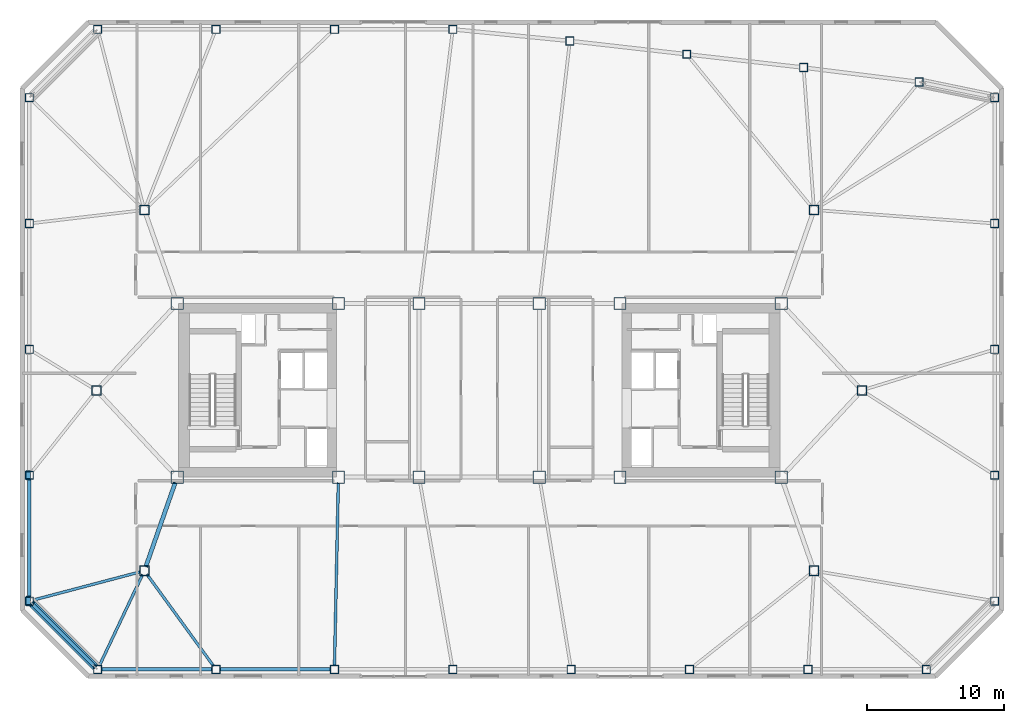
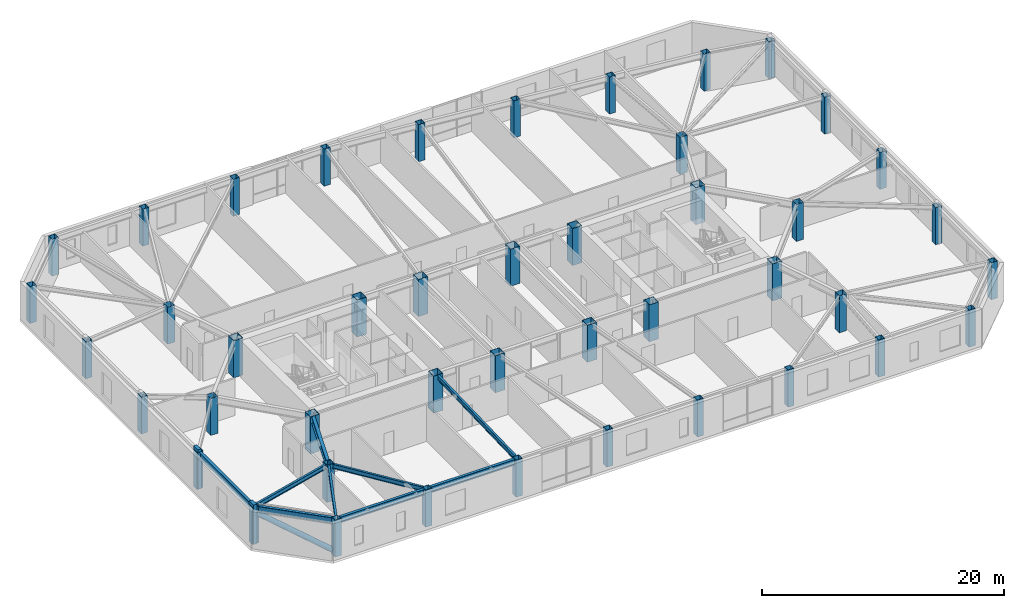
# One storey, part 1 of 18: 44 columns, 9 beams, 3 members.
"""IFC4 building model written with IfcOpenShell, lengths in metres."""

import ifcopenshell
import ifcopenshell.guid

model = None  # the IFC model being written
_history = None  # IfcOwnerHistory: only IFC2X3 demands one
_inside = {}  # id of a spatial element -> (the spatial element, [elements in it])
_under = {}  # id of a project, library or spatial element -> (it, [spatial elements below it])
_declared = {}  # id of a project -> (the project, [libraries it declares])
_typed = {}  # id of a type object -> (the type object, [elements of that type])
_made_of = {}  # id of a material, layer set ... -> (it, [elements and type objects made of it])


def new_model(schema):
    """Start an empty IFC model of exactly this schema.

    Asked for "IFC4X3", IfcOpenShell would pick the latest addendum, in which some entities
    have other attributes; the version numbers below select the first issue.
    IFC2X3 requires an IfcOwnerHistory on every rooted entity: one is made here for all.
    """
    global model, _history
    if schema == "IFC4X3":
        model = ifcopenshell.file(schema_version=(4, 3, 0, 0))
    else:
        model = ifcopenshell.file(schema=schema)
    _inside.clear()
    _under.clear()
    _declared.clear()
    _typed.clear()
    _made_of.clear()
    _history = None
    if model.schema == "IFC2X3":
        org = make("IfcOrganization", Name="unknown")
        user = make(
            "IfcPersonAndOrganization",
            ThePerson=make("IfcPerson", FamilyName="unknown"),
            TheOrganization=org,
        )
        app = make(
            "IfcApplication",
            ApplicationDeveloper=org,
            Version="unknown",
            ApplicationFullName="unknown",
            ApplicationIdentifier="unknown",
        )
        _history = make(
            "IfcOwnerHistory",
            OwningUser=user,
            OwningApplication=app,
            ChangeAction="ADDED",
            CreationDate=0,
        )
    return model


def make(cls, **values):
    """One entity of the class cls with the attributes given. An attribute that is None is left unset."""
    return model.create_entity(
        cls, **{name: value for name, value in values.items() if value is not None}
    )


def rooted(cls, **values):
    """An entity with a GlobalId (a new one), such as an element, a storey or a relation."""
    return make(cls, GlobalId=ifcopenshell.guid.new(), OwnerHistory=_history, **values)


def si_unit(unit_type, name, prefix=None):
    """IfcSIUnit, for example si_unit("LENGTHUNIT", "METRE", prefix="MILLI")."""
    return make("IfcSIUnit", UnitType=unit_type, Prefix=prefix, Name=name)


def assignment(units):
    """IfcUnitAssignment: the units of a project."""
    return None if units is None else make("IfcUnitAssignment", Units=units)


def point(xyz):
    """IfcCartesianPoint."""
    return None if xyz is None else make("IfcCartesianPoint", Coordinates=xyz)


def direction(xyz):
    """IfcDirection."""
    return None if xyz is None else make("IfcDirection", DirectionRatios=xyz)


def frame(location, z_axis=None, x_axis=None):
    """IfcAxis2Placement3D, a coordinate frame: its origin and axes. An axis left out is left unset."""
    return make(
        "IfcAxis2Placement3D",
        Location=point(location),
        Axis=direction(z_axis),
        RefDirection=direction(x_axis),
    )


def frame_2d(location, x_axis=None):
    """IfcAxis2Placement2D, a coordinate frame in the plane: its origin and x axis."""
    return make(
        "IfcAxis2Placement2D", Location=point(location), RefDirection=direction(x_axis)
    )


def origin():
    """The frame at (0, 0, 0) with its axes left unset."""
    return frame((0.0, 0.0, 0.0))


def origin_2d():
    """The frame at (0, 0) in the plane with its x axis left unset."""
    return frame_2d((0.0, 0.0))


def place(relative_to, where):
    """IfcLocalPlacement: puts the frame where relative to a parent placement (None: the world)."""
    return make(
        "IfcLocalPlacement", PlacementRelTo=relative_to, RelativePlacement=where
    )


def context(
    kind, dimensions, precision=None, world=None, true_north=None, identifier=None
):
    """IfcGeometricRepresentationContext, for example the 3D "Model" context."""
    return make(
        "IfcGeometricRepresentationContext",
        ContextIdentifier=identifier,
        ContextType=kind,
        CoordinateSpaceDimension=dimensions,
        Precision=precision,
        WorldCoordinateSystem=world,
        TrueNorth=true_north,
    )


def subcontext(parent, identifier, kind, view, scale=None):
    """IfcGeometricRepresentationSubContext, for example "Body" below "Model"."""
    return make(
        "IfcGeometricRepresentationSubContext",
        ContextIdentifier=identifier,
        ContextType=kind,
        ParentContext=parent,
        TargetScale=scale,
        TargetView=view,
    )


def project(units=None, contexts=None):
    """IfcProject with its units and contexts."""
    return rooted(
        "IfcProject",
        Name="project",
        RepresentationContexts=contexts,
        UnitsInContext=assignment(units),
    )


def spatial(cls, under=None, at=None, **own):
    """A site, building, storey or space (cls), placed at a placement, below another one or the project."""
    s = rooted(cls, ObjectPlacement=at, **own)
    if under is not None:
        _under.setdefault(under.id(), (under, []))[1].append(s)
    return s


def profile(cls, at=None, kind="AREA", **sizes):
    """A parametric profile (cls). Its sizes go by their IFC names, for example OverallWidth=200.0."""
    return make(cls, ProfileType=kind, Position=at, **sizes)


def rectangle(**sizes):
    """IfcRectangleProfileDef."""
    return profile("IfcRectangleProfileDef", **sizes)


def hollow_rectangle(**sizes):
    """IfcRectangleHollowProfileDef."""
    return profile("IfcRectangleHollowProfileDef", **sizes)


def hollow_circle(**sizes):
    """IfcCircleHollowProfileDef."""
    return profile("IfcCircleHollowProfileDef", **sizes)


def i_section(**sizes):
    """IfcIShapeProfileDef."""
    return profile("IfcIShapeProfileDef", **sizes)


def extrude(swept, where, along, depth):
    """IfcExtrudedAreaSolid: the profile swept, set in the frame where, extruded along a direction by depth."""
    return make(
        "IfcExtrudedAreaSolid",
        SweptArea=swept,
        Position=where,
        ExtrudedDirection=direction(along),
        Depth=depth,
    )


def shape(context_of_items, identifier, shape_type, items):
    """IfcShapeRepresentation: the items that make up one representation, for example the "Body"."""
    return make(
        "IfcShapeRepresentation",
        ContextOfItems=context_of_items,
        RepresentationIdentifier=identifier,
        RepresentationType=shape_type,
        Items=items,
    )


def material(Name=None, Category=None):
    """IfcMaterial."""
    return make("IfcMaterial", Name=Name, Category=Category)


def material_profile(
    of_material, cross_section, Name=None, Category=None, Priority=None
):
    """IfcMaterialProfile: a cross section and its material."""
    return make(
        "IfcMaterialProfile",
        Name=Name,
        Material=of_material,
        Profile=cross_section,
        Priority=Priority,
        Category=Category,
    )


def profile_set(profiles, Name=None, composite=None):
    """IfcMaterialProfileSet."""
    return make(
        "IfcMaterialProfileSet",
        Name=Name,
        MaterialProfiles=profiles,
        CompositeProfile=composite,
    )


def made_of(thing, what):
    """Note that an element or type object is made of a material, layer set ...; save() writes the relation."""
    if what is not None:
        _made_of.setdefault(what.id(), (what, []))[1].append(thing)
    return thing


def type_object(cls, material=None, **own):
    """A type object (cls), such as IfcWallType, which elements share."""
    return made_of(rooted(cls, **own), material)


def element(
    cls,
    number,
    at=None,
    inside=None,
    cuts=None,
    type_object=None,
    material=None,
    context=None,
    identifier="Body",
    shape_type=None,
    held_by="IfcProductDefinitionShape",
    body=None,
    shapes=None,
    **own,
):
    """One element of the class cls, such as IfcWall. Its Tag is "e" and its number.

    at: its placement. inside: the storey or other place that contains it. cuts: it is an
    opening in that element (IfcRelVoidsElement). A single representation is given by context,
    identifier, shape_type and body (its items); several are given by shapes. held_by: the class
    of the entity that holds the representations. save() writes the other relations.
    """
    e = rooted(cls, Tag="e%d" % number, ObjectPlacement=at, **own)
    if body is not None:
        shapes = [shape(context, identifier, shape_type, body)]
    if shapes is not None:
        e.Representation = make(held_by, Representations=shapes)
    if inside is not None:
        _inside.setdefault(inside.id(), (inside, []))[1].append(e)
    if cuts is not None:
        rooted(
            "IfcRelVoidsElement", RelatingBuildingElement=cuts, RelatedOpeningElement=e
        )
    if type_object is not None:
        _typed.setdefault(type_object.id(), (type_object, []))[1].append(e)
    return made_of(e, material)


def aggregate(whole, parts):
    """IfcRelAggregates: a whole, such as a stair, and the parts it consists of."""
    return rooted("IfcRelAggregates", RelatingObject=whole, RelatedObjects=parts)


def save(model, path):
    """Write the relations noted so far, then the file.

    IfcRelAggregates (storeys below a building ...), IfcRelContainedInSpatialStructure (elements
    in a storey), IfcRelDefinesByType, IfcRelAssociatesMaterial and IfcRelDeclares: one each for
    every whole, place, type object, material and project.
    """
    for whole, parts in _under.values():
        aggregate(whole, parts)
    for where, things in _inside.values():
        rooted(
            "IfcRelContainedInSpatialStructure",
            RelatedElements=things,
            RelatingStructure=where,
        )
    for kind, things in _typed.values():
        rooted("IfcRelDefinesByType", RelatedObjects=things, RelatingType=kind)
    for what, things in _made_of.values():
        rooted("IfcRelAssociatesMaterial", RelatedObjects=things, RelatingMaterial=what)
    for by, libraries in _declared.values():
        rooted("IfcRelDeclares", RelatingContext=by, RelatedDefinitions=libraries)
    model.write(path)


model = new_model("IFC4")

# Units and contexts
model_context = context("Model", 3, precision=1e-05, world=origin(), true_north=direction((0.0, 1.0)))
body_context = subcontext(model_context, "Body", "Model", "MODEL_VIEW")
ifc_project = project(units=[si_unit("LENGTHUNIT", "METRE"), si_unit("AREAUNIT", "SQUARE_METRE"), si_unit("VOLUMEUNIT", "CUBIC_METRE"), si_unit("PLANEANGLEUNIT", "RADIAN"), si_unit("MASSUNIT", "GRAM", prefix="KILO")], contexts=[model_context])

# Site, building, storey
site_placement = place(None, origin())
site = spatial("IfcSite", under=ifc_project, at=site_placement, CompositionType="ELEMENT")
building_placement = place(site_placement, origin())
building = spatial("IfcBuilding", under=site, at=building_placement, Name="Tavrogorsk Clinical Tower", CompositionType="ELEMENT")
storey_placement = place(building_placement, frame((0.0, 0.0, 196.199951171875)))
storey = spatial("IfcBuildingStorey", under=building, at=storey_placement, Name="L45", CompositionType="ELEMENT", Elevation=196.199951171875)

# Columns
ifc_material_1 = material(Name="Structural steel S440", Category="steel")
ifc_material_profile_1 = material_profile(ifc_material_1, hollow_rectangle(XDim=0.699951171875, YDim=0.699951171875, WallThickness=0.031982421875, at=origin_2d()), Name="BOX-700x700x32")
ifc_profile_set_1 = profile_set([ifc_material_profile_1], Name="Structural steel S440")
column_type_1 = type_object("IfcColumnType", Name="MegaCol_BOX700", PredefinedType="COLUMN", material=ifc_profile_set_1)
for number, where, z_axis, x_axis, name in (
    (1, (-24.5, -13.199951171875, 0.0), (0.0, 0.0, 1.0), (1.0, 0.0, 0.0), "L45 Spine Pilotis Column MC-P1"),
    (2, (24.5, -13.199951171875, 0.0), (0.0, 0.0, 1.0), (1.0, 0.0, 0.0), "L45 Spine Pilotis Column MC-P2"),
    (3, (-24.5, 13.199951171875, 0.0), (0.0, 0.0, 1.0), (1.0, 0.0, 0.0), "L45 Spine Pilotis Column MC-P3"),
    (4, (24.5, 13.199951171875, 0.0), (0.0, 0.0, 1.0), (1.0, 0.0, 0.0), "L45 Spine Pilotis Column MC-P4"),
    (5, (-28.0, 0.0, 0.0), (0.0, 0.0, 1.0), (1.0, 0.0, 0.0), "L45 Spine Pilotis Column MC-P5"),
    (6, (28.0, 0.0, 0.0), (0.0, 0.0, 1.0), (1.0, 0.0, 0.0), "L45 Spine Pilotis Column MC-P6"),
):
    element("IfcColumn", number, at=place(storey_placement, frame(where, z_axis=z_axis, x_axis=x_axis)), inside=storey, type_object=column_type_1, Name=name, PredefinedType="COLUMN", context=body_context, shape_type="SweptSolid", body=[
        extrude(hollow_rectangle(XDim=0.699951171875, YDim=0.699951171875, WallThickness=0.031982421875, at=origin_2d()), origin(), (0.0, 0.0, 1.0), 3.739990234375),
    ])
ifc_material_2 = material(Name="Structural steel S440", Category="steel")
ifc_material_profile_2 = material_profile(ifc_material_2, hollow_rectangle(XDim=0.89990234375, YDim=0.89990234375, WallThickness=0.0400390625, at=origin_2d()), Name="BOX-900x900x40")
ifc_profile_set_2 = profile_set([ifc_material_profile_2], Name="Structural steel S440")
column_type_2 = type_object("IfcColumnType", Name="MegaCol_BOX900", PredefinedType="COLUMN", material=ifc_profile_set_2)
for number, where, z_axis, x_axis, name in (
    (7, (-22.10009765625, -6.35009765625, 0.0), (0.0, 0.0, 1.0), (1.0, 0.0, 0.0), "L45 Mega Column MC-W1"),
    (8, (-22.10009765625, 6.35009765625, 0.0), (0.0, 0.0, 1.0), (1.0, 0.0, 0.0), "L45 Mega Column MC-W2"),
    (9, (-10.300048828125, -6.35009765625, 0.0), (0.0, 0.0, 1.0), (1.0, 0.0, 0.0), "L45 Mega Column MC-W3"),
    (10, (-10.300048828125, 6.35009765625, 0.0), (0.0, 0.0, 1.0), (1.0, 0.0, 0.0), "L45 Mega Column MC-W4"),
    (11, (10.300048828125, -6.35009765625, 0.0), (0.0, 0.0, 1.0), (1.0, 0.0, 0.0), "L45 Mega Column MC-E1"),
    (12, (10.300048828125, 6.35009765625, 0.0), (0.0, 0.0, 1.0), (1.0, 0.0, 0.0), "L45 Mega Column MC-E2"),
    (13, (22.10009765625, -6.35009765625, 0.0), (0.0, 0.0, 1.0), (1.0, 0.0, 0.0), "L45 Mega Column MC-E3"),
    (14, (22.10009765625, 6.35009765625, 0.0), (0.0, 0.0, 1.0), (1.0, 0.0, 0.0), "L45 Mega Column MC-E4"),
    (15, (-4.39990234375, -6.35009765625, 0.0), (0.0, 0.0, 1.0), (1.0, 0.0, 0.0), "L45 Mega Column MC-C1"),
    (16, (4.39990234375, -6.35009765625, 0.0), (0.0, 0.0, 1.0), (1.0, 0.0, 0.0), "L45 Mega Column MC-C2"),
    (17, (-4.39990234375, 6.35009765625, 0.0), (0.0, 0.0, 1.0), (1.0, 0.0, 0.0), "L45 Mega Column MC-C3"),
    (18, (4.39990234375, 6.35009765625, 0.0), (0.0, 0.0, 1.0), (1.0, 0.0, 0.0), "L45 Mega Column MC-C4"),
):
    element("IfcColumn", number, at=place(storey_placement, frame(where, z_axis=z_axis, x_axis=x_axis)), inside=storey, type_object=column_type_2, Name=name, PredefinedType="COLUMN", context=body_context, shape_type="SweptSolid", body=[
        extrude(hollow_rectangle(XDim=0.89990234375, YDim=0.89990234375, WallThickness=0.0400390625, at=origin_2d()), origin(), (0.0, 0.0, 1.0), 3.739990234375),
    ])
ifc_material_3 = material(Name="Structural steel S440", Category="steel")
ifc_material_profile_3 = material_profile(ifc_material_3, hollow_rectangle(XDim=0.60009765625, YDim=0.60009765625, WallThickness=0.028076171875, at=origin_2d()), Name="BOX-600x600x28")
ifc_profile_set_3 = profile_set([ifc_material_profile_3], Name="Structural steel S440")
column_type_3 = type_object("IfcColumnType", Name="PerimCol_B3_BOX600", PredefinedType="COLUMN", material=ifc_profile_set_3)
for number, where, z_axis, x_axis, name in (
    (19, (-27.919921875, -20.419921875, 0.0), (0.0, 0.0, 1.0), (1.0, 0.0, 0.0), "L45 Perimeter Column S1"),
    (20, (-19.257080078125, -20.419921875, 0.0), (0.0, 0.0, 1.0), (1.0, 0.0, 0.0), "L45 Perimeter Column S2"),
    (21, (-10.59423828125, -20.419921875, 0.0), (0.0, 0.0, 1.0), (1.0, 0.0, 0.0), "L45 Perimeter Column S3"),
    (22, (-1.931396484375, -20.419921875, 0.0), (0.0, 0.0, 1.0), (1.0, 0.0, 0.0), "L45 Perimeter Column S4"),
    (23, (6.7314453125, -20.419921875, 0.0), (0.0, 0.0, 1.0), (1.0, 0.0, 0.0), "L45 Perimeter Column S5"),
    (24, (15.394287109375, -20.419921875, 0.0), (0.0, 0.0, 1.0), (1.0, 0.0, 0.0), "L45 Perimeter Column S6"),
    (25, (24.05712890625, -20.419921875, 0.0), (0.0, 0.0, 1.0), (1.0, 0.0, 0.0), "L45 Perimeter Column S7"),
    (26, (32.719970703125, -20.419921875, 0.0), (0.0, 0.0, 1.0), (1.0, 0.0, 0.0), "L45 Perimeter Column S8"),
    (27, (32.19140625, 22.56591796875, 0.0), (0.0, 0.0, 1.0), (1.0, 0.0, 0.0), "L45 Perimeter Column N1"),
    (28, (23.73779296875, 23.617919921875, 0.0), (0.0, 0.0, 1.0), (1.0, 0.0, 0.0), "L45 Perimeter Column N2"),
    (29, (15.18603515625, 24.59228515625, 0.0), (0.0, 0.0, 1.0), (1.0, 0.0, 0.0), "L45 Perimeter Column N3"),
    (30, (6.63427734375, 25.566650390625, 0.0), (0.0, 0.0, 1.0), (1.0, 0.0, 0.0), "L45 Perimeter Column N4"),
    (31, (-1.931396484375, 26.419921875, 0.0), (0.0, 0.0, 1.0), (1.0, 0.0, 0.0), "L45 Perimeter Column N5"),
    (32, (-10.59423828125, 26.419921875, 0.0), (0.0, 0.0, 1.0), (1.0, 0.0, 0.0), "L45 Perimeter Column N6"),
    (33, (-19.257080078125, 26.419921875, 0.0), (0.0, 0.0, 1.0), (1.0, 0.0, 0.0), "L45 Perimeter Column N7"),
    (34, (-27.919921875, 26.419921875, 0.0), (0.0, 0.0, 1.0), (1.0, 0.0, 0.0), "L45 Perimeter Column N8"),
    (35, (37.719970703125, -15.419921875, 0.0), (0.0, 0.0, 1.0), (1.0, 0.0, 0.0), "L45 Perimeter Column E1"),
    (36, (37.719970703125, -6.2099609375, 0.0), (0.0, 0.0, 1.0), (1.0, 0.0, 0.0), "L45 Perimeter Column E2"),
    (37, (37.719970703125, 3.0, 0.0), (0.0, 0.0, 1.0), (1.0, 0.0, 0.0), "L45 Perimeter Column E3"),
    (38, (37.719970703125, 12.2099609375, 0.0), (0.0, 0.0, 1.0), (1.0, 0.0, 0.0), "L45 Perimeter Column E4"),
    (39, (37.719970703125, 21.419921875, 0.0), (0.0, 0.0, 1.0), (1.0, 0.0, 0.0), "L45 Perimeter Column E5"),
    (40, (-32.919921875, 21.419921875, 0.0), (0.0, 0.0, 1.0), (1.0, 0.0, 0.0), "L45 Perimeter Column W1"),
    (41, (-32.919921875, 12.2099609375, 0.0), (0.0, 0.0, 1.0), (1.0, 0.0, 0.0), "L45 Perimeter Column W2"),
    (42, (-32.919921875, 3.0, 0.0), (0.0, 0.0, 1.0), (1.0, 0.0, 0.0), "L45 Perimeter Column W3"),
    (43, (-32.919921875, -6.2099609375, 0.0), (0.0, 0.0, 1.0), (1.0, 0.0, 0.0), "L45 Perimeter Column W4"),
    (44, (-32.919921875, -15.419921875, 0.0), (0.0, 0.0, 1.0), (1.0, 0.0, 0.0), "L45 Perimeter Column W5"),
):
    element("IfcColumn", number, at=place(storey_placement, frame(where, z_axis=z_axis, x_axis=x_axis)), inside=storey, type_object=column_type_3, Name=name, PredefinedType="COLUMN", context=body_context, shape_type="SweptSolid", body=[
        extrude(hollow_rectangle(XDim=0.60009765625, YDim=0.60009765625, WallThickness=0.028076171875, at=origin_2d()), origin(), (0.0, 0.0, 1.0), 3.739990234375),
    ])

# Member
ifc_material_4 = material(Name="Structural steel S440", Category="steel")
ifc_material_profile_4 = material_profile(ifc_material_4, hollow_circle(Radius=0.25390625, WallThickness=0.02001953125, at=origin_2d()), Name="CHS-508x20")
ifc_profile_set_4 = profile_set([ifc_material_profile_4], Name="Structural steel S440")
member_type_1 = type_object("IfcMemberType", Name="ExoBrace_CHS508", PredefinedType="BRACE", material=ifc_profile_set_4)
member_placement = place(storey_placement, frame((-28.12255859375, -20.217529296875, 0.4130859375), z_axis=(-0.657758524103, 0.657758524103, 0.367025132572), x_axis=(-0.707106781187, -0.707106781187, 0.0)))
element("IfcMember", 45, at=member_placement, inside=storey, type_object=member_type_1, Name="L45 Corner Exoskeleton Brace W5-S1", PredefinedType="BRACE", context=body_context, shape_type="SweptSolid", body=[
    extrude(hollow_circle(Radius=0.25390625, WallThickness=0.02001953125, at=origin_2d()), origin(), (0.0, 0.0, 1.0), 6.98583984375),
])

# Beams
ifc_material_5 = material(Name="Structural steel S355", Category="steel")
ifc_material_profile_5 = material_profile(ifc_material_5, i_section(OverallWidth=0.199951171875, OverallDepth=0.449951171875, WebThickness=0.011474609375, FlangeThickness=0.01806640625, at=origin_2d()), Name="B-450x200x11.5x18")
ifc_profile_set_5 = profile_set([ifc_material_profile_5], Name="Structural steel S355")
beam_type_1 = type_object("IfcBeamType", Name="FloorBeam_B450", PredefinedType="BEAM", material=ifc_profile_set_5)
beam_1_placement = place(storey_placement, frame((-24.6328125, -13.480224609375, 3.51513671875), z_axis=(-0.428073530385, -0.90374390874, 0.0), x_axis=(0.90374390874, -0.428073530385, 0.0)))
element("IfcBeam", 46, at=beam_1_placement, inside=storey, type_object=beam_type_1, Name="L45 Radial Floor Beam S1", PredefinedType="BEAM", context=body_context, shape_type="SweptSolid", body=[
    extrude(i_section(OverallWidth=0.199951171875, OverallDepth=0.449951171875, WebThickness=0.011474609375, FlangeThickness=0.01806640625, at=origin_2d()), origin(), (0.0, 0.0, 1.0), 7.370849609375),
])
beam_2_placement = place(storey_placement, frame((-24.31787109375, -13.450927734375, 3.51513671875), z_axis=(0.587591229638, -0.809157924544, 0.0), x_axis=(0.809157924544, 0.587591229638, 0.0)))
element("IfcBeam", 47, at=beam_2_placement, inside=storey, type_object=beam_type_1, Name="L45 Radial Floor Beam S2", PredefinedType="BEAM", context=body_context, shape_type="SweptSolid", body=[
    extrude(i_section(OverallWidth=0.199951171875, OverallDepth=0.449951171875, WebThickness=0.011474609375, FlangeThickness=0.01806640625, at=origin_2d()), origin(), (0.0, 0.0, 1.0), 8.304931640625),
])
beam_3_placement = place(storey_placement, frame((-10.30859375, -6.760009765625, 3.51513671875), z_axis=(-0.020913325994, -0.999781292481, 0.0), x_axis=(0.999781292481, -0.020913325994, 0.0)))
element("IfcBeam", 48, at=beam_3_placement, inside=storey, type_object=beam_type_1, Name="L45 Radial Floor Beam S3", PredefinedType="BEAM", context=body_context, shape_type="SweptSolid", body=[
    extrude(i_section(OverallWidth=0.199951171875, OverallDepth=0.449951171875, WebThickness=0.011474609375, FlangeThickness=0.01806640625, at=origin_2d()), origin(), (0.0, 0.0, 1.0), 13.35498046875),
])
beam_4_placement = place(storey_placement, frame((-24.7998046875, -13.279052734375, 3.51513671875), z_axis=(-0.966952457073, -0.254956752726, 0.0), x_axis=(0.254956752726, -0.966952457073, 0.0)))
element("IfcBeam", 49, at=beam_4_placement, inside=storey, type_object=beam_type_1, Name="L45 Radial Floor Beam W5", PredefinedType="BEAM", context=body_context, shape_type="SweptSolid", body=[
    extrude(i_section(OverallWidth=0.199951171875, OverallDepth=0.449951171875, WebThickness=0.011474609375, FlangeThickness=0.01806640625, at=origin_2d()), origin(), (0.0, 0.0, 1.0), 8.089599609375),
])

# Members
ifc_material_6 = material(Name="Precast concrete B45 with limestone cladding", Category="masonry")
ifc_material_profile_6 = material_profile(ifc_material_6, rectangle(XDim=0.320068359375, YDim=0.719970703125, at=origin_2d()), Name="LIMESTONE-FIN-320x720")
ifc_profile_set_6 = profile_set([ifc_material_profile_6], Name="Precast concrete B45 with limestone cladding")
member_type_2 = type_object("IfcMemberType", Name="LimestonePleatFin_320x720", PredefinedType="USERDEFINED", material=ifc_profile_set_6)
for number, where, z_axis, x_axis, name in (
    (50, (-33.0, -6.2099609375, 0.0), (0.0, 0.0, 1.0), (1.0, 0.0, 0.0), "L45 W Pleated Stone Fin 3"),
    (51, (-33.0, -15.419921875, 0.0), (0.0, 0.0, 1.0), (1.0, 0.0, 0.0), "L45 W Pleated Stone Fin 4"),
):
    element("IfcMember", number, at=place(storey_placement, frame(where, z_axis=z_axis, x_axis=x_axis)), inside=storey, type_object=member_type_2, Name=name, ObjectType="FIN", PredefinedType="USERDEFINED", context=body_context, shape_type="SweptSolid", body=[
        extrude(rectangle(XDim=0.320068359375, YDim=0.719970703125, at=origin_2d()), origin(), (0.0, 0.0, 1.0), 4.0),
    ])

# Beams
ifc_material_7 = material(Name="Structural steel S390", Category="steel")
ifc_material_profile_7 = material_profile(ifc_material_7, i_section(OverallWidth=0.300048828125, OverallDepth=0.699951171875, WebThickness=0.01708984375, FlangeThickness=0.028076171875, at=origin_2d()), Name="B-700x300x17x28")
ifc_profile_set_7 = profile_set([ifc_material_profile_7], Name="Structural steel S390")
beam_type_2 = type_object("IfcBeamType", Name="PrimaryGirder_B700", PredefinedType="USERDEFINED", material=ifc_profile_set_7)
beam_5_placement = place(storey_placement, frame((-24.3974609375, -12.907470703125, 3.39013671875), z_axis=(0.33065312634, 0.94375235631, 0.0), x_axis=(-0.94375235631, 0.33065312634, 0.0)))
element("IfcBeam", 52, at=beam_5_placement, inside=storey, type_object=beam_type_2, Name="L45 Spine Link Girder OPG-1", ObjectType="GIRDER", PredefinedType="USERDEFINED", context=body_context, shape_type="SweptSolid", body=[
    extrude(i_section(OverallWidth=0.300048828125, OverallDepth=0.699951171875, WebThickness=0.01708984375, FlangeThickness=0.028076171875, at=origin_2d()), origin(), (0.0, 0.0, 1.0), 6.5380859375),
])
ifc_material_8 = material(Name="Structural steel S390", Category="steel")
ifc_material_profile_8 = material_profile(ifc_material_8, i_section(OverallWidth=0.260009765625, OverallDepth=0.60009765625, WebThickness=0.014892578125, FlangeThickness=0.02392578125, at=origin_2d()), Name="B-600x260x15x24")
ifc_profile_set_8 = profile_set([ifc_material_profile_8], Name="Structural steel S390")
beam_type_3 = type_object("IfcBeamType", Name="SpandrelBeam_B600", PredefinedType="SPANDREL", material=ifc_profile_set_8)
for number, where, z_axis, x_axis, name in (
    (53, (-27.612060546875, -20.419921875, 3.43994140625), (1.0, 0.0, 0.0), (0.0, 1.0, 0.0), "L45 Perimeter Spandrel S1-S2"),
    (54, (-18.94921875, -20.419921875, 3.43994140625), (1.0, 0.0, 0.0), (0.0, 1.0, 0.0), "L45 Perimeter Spandrel S2-S3"),
):
    element("IfcBeam", number, at=place(storey_placement, frame(where, z_axis=z_axis, x_axis=x_axis)), inside=storey, type_object=beam_type_3, Name=name, PredefinedType="SPANDREL", context=body_context, shape_type="SweptSolid", body=[
        extrude(i_section(OverallWidth=0.260009765625, OverallDepth=0.60009765625, WebThickness=0.014892578125, FlangeThickness=0.02392578125, at=origin_2d()), origin(), (0.0, 0.0, 1.0), 8.046875),
    ])
beam_6_placement = place(storey_placement, frame((-32.919921875, -6.51806640625, 3.43994140625), z_axis=(0.0, -1.0, 0.0), x_axis=(1.0, 0.0, 0.0)))
element("IfcBeam", 55, at=beam_6_placement, inside=storey, type_object=beam_type_3, Name="L45 Perimeter Spandrel W4-W5", PredefinedType="SPANDREL", context=body_context, shape_type="SweptSolid", body=[
    extrude(i_section(OverallWidth=0.260009765625, OverallDepth=0.60009765625, WebThickness=0.014892578125, FlangeThickness=0.02392578125, at=origin_2d()), origin(), (0.0, 0.0, 1.0), 8.593994140625),
])
beam_7_placement = place(storey_placement, frame((-32.7021484375, -15.6376953125, 3.43994140625), z_axis=(0.707106781187, -0.707106781187, 0.0), x_axis=(0.707106781187, 0.707106781187, 0.0)))
element("IfcBeam", 56, at=beam_7_placement, inside=storey, type_object=beam_type_3, Name="L45 Perimeter Spandrel W5-S1", PredefinedType="SPANDREL", context=body_context, shape_type="SweptSolid", body=[
    extrude(i_section(OverallWidth=0.260009765625, OverallDepth=0.60009765625, WebThickness=0.014892578125, FlangeThickness=0.02392578125, at=origin_2d()), origin(), (0.0, 0.0, 1.0), 6.455078125),
])

save(model, "model.ifc")
